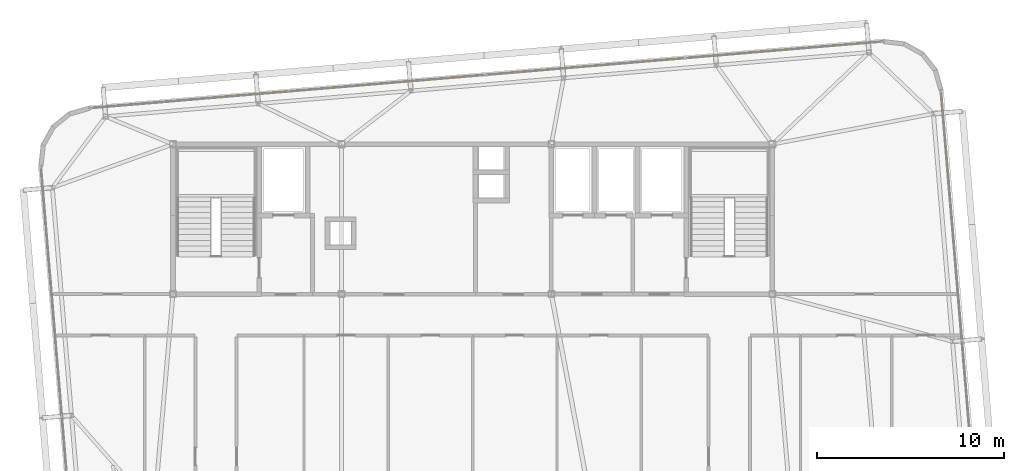
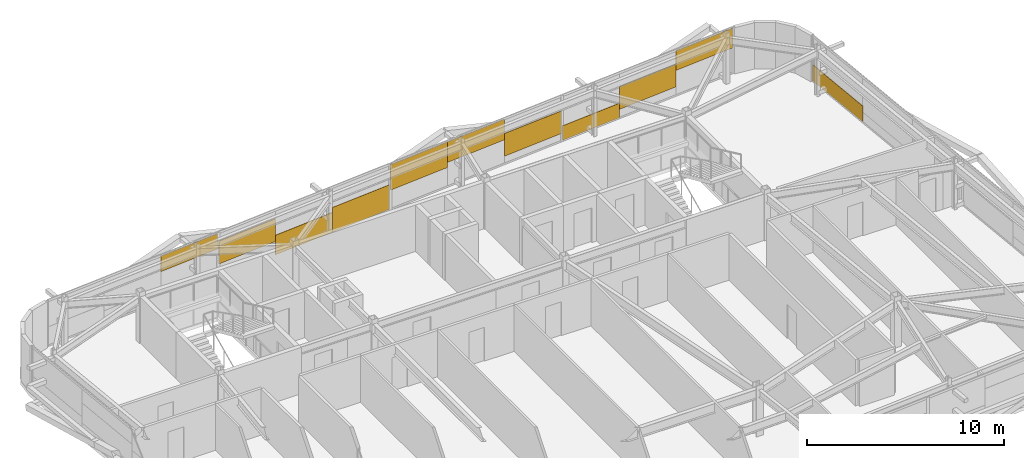
# One storey, part 39 of 39: 11 coverings.
"""IFC4 building model written with IfcOpenShell, lengths in metres."""

from ifc_helpers import new_model, si_unit, direction, frame, origin, origin_2d, place, context, subcontext, project, spatial, rectangle, extrude, source, transform, mapped, material, layer, layer_set, type_object, element, save


model = new_model("IFC4")

# Units and contexts
model_context = context("Model", 3, precision=1e-05, world=origin(), true_north=direction((0.0, 1.0)))
body_context = subcontext(model_context, "Body", "Model", "MODEL_VIEW")
ifc_project = project(units=[si_unit("LENGTHUNIT", "METRE"), si_unit("AREAUNIT", "SQUARE_METRE"), si_unit("VOLUMEUNIT", "CUBIC_METRE"), si_unit("PLANEANGLEUNIT", "RADIAN"), si_unit("MASSUNIT", "GRAM", prefix="KILO")], contexts=[model_context])

# Site, building, storey
site_placement = place(None, origin())
site = spatial("IfcSite", under=ifc_project, at=site_placement, CompositionType="ELEMENT")
building_placement = place(site_placement, origin())
building = spatial("IfcBuilding", under=site, at=building_placement, Name="Taldren Reach Tower", CompositionType="ELEMENT")
storey_placement = place(building_placement, frame((0.0, 0.0, 204.050048828125)))
storey = spatial("IfcBuildingStorey", under=building, at=storey_placement, Name="L62", CompositionType="ELEMENT", Elevation=204.050048828125)

# Coverings
ifc_material = material(Name="Pale Champagne Fluoropolymer Aluminium Spandrel Cladding", Category="aluminium")
ifc_layer = layer(ifc_material, 0.0439453125)
ifc_layer_set = layer_set([ifc_layer], Name="Pale Champagne Fluoropolymer Aluminium Spandrel Cladding")
covering_type = type_object("IfcCoveringType", Name="CV-CLAD-044", PredefinedType="CLADDING", material=ifc_layer_set)
shared_shape_1 = source(origin(), body_context, "Body", "SweptSolid", [
    extrude(rectangle(XDim=3.506591796875, YDim=0.0439453125, at=origin_2d()), origin(), (0.0, 0.0, 1.0), 1.40087890625),
])
covering_1_placement = place(storey_placement, frame((51.603515625, 37.03515625, 0.5771484375), z_axis=(0.0, 0.0, 1.0), x_axis=(-0.99649285657, -0.083677875247, 0.0)))
element("IfcCovering", 1, at=covering_1_placement, inside=storey, type_object=covering_type, Name="Diagrid closure cladding strip CW-5 panel 1.1 2", PredefinedType="CLADDING", context=body_context, shape_type="MappedRepresentation", body=[
    mapped(shared_shape_1, transform((0.0, 0.0, 0.0), scale=1.0)),
])
shared_shape_2 = source(origin(), body_context, "Body", "SweptSolid", [
    extrude(rectangle(XDim=3.506591796875, YDim=0.0439453125, at=origin_2d()), origin(), (0.0, 0.0, 1.0), 0.9619140625),
])
covering_2_placement = place(storey_placement, frame((23.36962890625, 34.664306640625, 1.84814453125), z_axis=(0.0, 0.0, 1.0), x_axis=(-0.99649285657, -0.083677875247, 0.0)))
element("IfcCovering", 2, at=covering_2_placement, inside=storey, type_object=covering_type, Name="Diagrid closure cladding strip CW-5 panel 4.1 1", PredefinedType="CLADDING", context=body_context, shape_type="MappedRepresentation", body=[
    mapped(shared_shape_2, transform((0.0, 0.0, 0.0), scale=1.0)),
])
shared_shape_3 = source(origin(), body_context, "Body", "SweptSolid", [
    extrude(rectangle(XDim=3.518310546875, YDim=0.0439453125, at=origin_2d()), origin(), (0.0, 0.0, 1.0), 1.404296875),
])
for number, where, z_axis, x_axis, name in (
    (3, (44.539306640625, 36.44189453125, 0.51416015625), (0.0, 0.0, 1.0), (-0.99649285657, -0.083677875247, 0.0), "Diagrid closure cladding strip CW-5 panel 2.1 1"),
    (4, (26.939453125, 34.964111328125, 0.891357421875), (0.0, 0.0, 1.0), (-0.99649285657, -0.083677875247, 0.0), "Diagrid closure cladding strip CW-5 panel 3.1 3"),
):
    element("IfcCovering", number, at=place(storey_placement, frame(where, z_axis=z_axis, x_axis=x_axis)), inside=storey, type_object=covering_type, Name=name, PredefinedType="CLADDING", context=body_context, shape_type="MappedRepresentation", body=[
        mapped(shared_shape_3, transform((0.0, 0.0, 0.0), scale=1.0)),
    ])
shared_shape_4 = source(origin(), body_context, "Body", "SweptSolid", [
    extrude(rectangle(XDim=3.518310546875, YDim=0.0439453125, at=origin_2d()), origin(), (0.0, 0.0, 1.0), 1.21630859375),
])
covering_3_placement = place(storey_placement, frame((30.445556640625, 35.258544921875, 0.06005859375), z_axis=(0.0, 0.0, 1.0), x_axis=(-0.99649285657, -0.083677875247, 0.0)))
element("IfcCovering", 5, at=covering_3_placement, inside=storey, type_object=covering_type, Name="Diagrid closure cladding strip CW-5 panel 3.1 2", PredefinedType="CLADDING", context=body_context, shape_type="MappedRepresentation", body=[
    mapped(shared_shape_4, transform((0.0, 0.0, 0.0), scale=1.0)),
])
shared_shape_5 = source(origin(), body_context, "Body", "SweptSolid", [
    extrude(rectangle(XDim=3.518310546875, YDim=0.0439453125, at=origin_2d()), origin(), (0.0, 0.0, 1.0), 1.52734375),
])
covering_4_placement = place(storey_placement, frame((33.951416015625, 35.552734375, 0.059814453125), z_axis=(0.0, 0.0, 1.0), x_axis=(-0.99649285657, -0.083677875247, 0.0)))
element("IfcCovering", 6, at=covering_4_placement, inside=storey, type_object=covering_type, Name="Diagrid closure cladding strip CW-5 panel 3.1 1", PredefinedType="CLADDING", context=body_context, shape_type="MappedRepresentation", body=[
    mapped(shared_shape_5, transform((0.0, 0.0, 0.0), scale=1.0)),
])
shared_shape_6 = source(origin(), body_context, "Body", "SweptSolid", [
    extrude(rectangle(XDim=3.518310546875, YDim=0.0439453125, at=origin_2d()), origin(), (0.0, 0.0, 1.0), 1.587158203125),
])
covering_5_placement = place(storey_placement, frame((37.52734375, 35.85302734375, 1.22265625), z_axis=(0.0, 0.0, 1.0), x_axis=(-0.99649285657, -0.083677875247, 0.0)))
element("IfcCovering", 7, at=covering_5_placement, inside=storey, type_object=covering_type, Name="Diagrid closure cladding strip CW-5 panel 2.1 3", PredefinedType="CLADDING", context=body_context, shape_type="MappedRepresentation", body=[
    mapped(shared_shape_6, transform((0.0, 0.0, 0.0), scale=1.0)),
])
shared_shape_7 = source(origin(), body_context, "Body", "SweptSolid", [
    extrude(rectangle(XDim=3.518310546875, YDim=0.0439453125, at=origin_2d()), origin(), (0.0, 0.0, 1.0), 1.2763671875),
])
covering_6_placement = place(storey_placement, frame((41.033203125, 36.1474609375, 1.53369140625), z_axis=(0.0, 0.0, 1.0), x_axis=(-0.99649285657, -0.083677875247, 0.0)))
element("IfcCovering", 8, at=covering_6_placement, inside=storey, type_object=covering_type, Name="Diagrid closure cladding strip CW-5 panel 2.1 2", PredefinedType="CLADDING", context=body_context, shape_type="MappedRepresentation", body=[
    mapped(shared_shape_7, transform((0.0, 0.0, 0.0), scale=1.0)),
])
shared_shape_8 = source(origin(), body_context, "Body", "SweptSolid", [
    extrude(rectangle(XDim=3.506591796875, YDim=0.0439453125, at=origin_2d()), origin(), (0.0, 0.0, 1.0), 0.90185546875),
])
covering_7_placement = place(storey_placement, frame((48.109130859375, 36.74169921875, 0.06005859375), z_axis=(0.0, 0.0, 1.0), x_axis=(-0.99649285657, -0.083677875247, 0.0)))
element("IfcCovering", 9, at=covering_7_placement, inside=storey, type_object=covering_type, Name="Diagrid closure cladding strip CW-5 panel 1.1 3", PredefinedType="CLADDING", context=body_context, shape_type="MappedRepresentation", body=[
    mapped(shared_shape_8, transform((0.0, 0.0, 0.0), scale=1.0)),
])
shared_shape_9 = source(origin(), body_context, "Body", "SweptSolid", [
    extrude(rectangle(XDim=3.506591796875, YDim=0.0439453125, at=origin_2d()), origin(), (0.0, 0.0, 1.0), 1.216796875),
])
covering_8_placement = place(storey_placement, frame((55.097900390625, 37.32861328125, 1.593017578125), z_axis=(0.0, 0.0, 1.0), x_axis=(-0.99649285657, -0.083677875247, 0.0)))
element("IfcCovering", 10, at=covering_8_placement, inside=storey, type_object=covering_type, Name="Diagrid closure cladding strip CW-5 panel 1.1 1", PredefinedType="CLADDING", context=body_context, shape_type="MappedRepresentation", body=[
    mapped(shared_shape_9, transform((0.0, 0.0, 0.0), scale=1.0)),
])
shared_shape_10 = source(origin(), body_context, "Body", "SweptSolid", [
    extrude(rectangle(XDim=4.431640625, YDim=0.0439453125, at=origin_2d()), origin(), (0.0, 0.0, 1.0), 0.98974609375),
])
covering_9_placement = place(storey_placement, frame((60.1953125, 32.5927734375, 0.06005859375), z_axis=(0.0, 0.0, 1.0), x_axis=(-0.083677979808, 0.996492847789, 0.0)))
element("IfcCovering", 11, at=covering_9_placement, inside=storey, type_object=covering_type, Name="Diagrid closure cladding strip CW-5 panel 2.1 3", PredefinedType="CLADDING", context=body_context, shape_type="MappedRepresentation", body=[
    mapped(shared_shape_10, transform((0.0, 0.0, 0.0), scale=1.0)),
])

save(model, "model.ifc")
